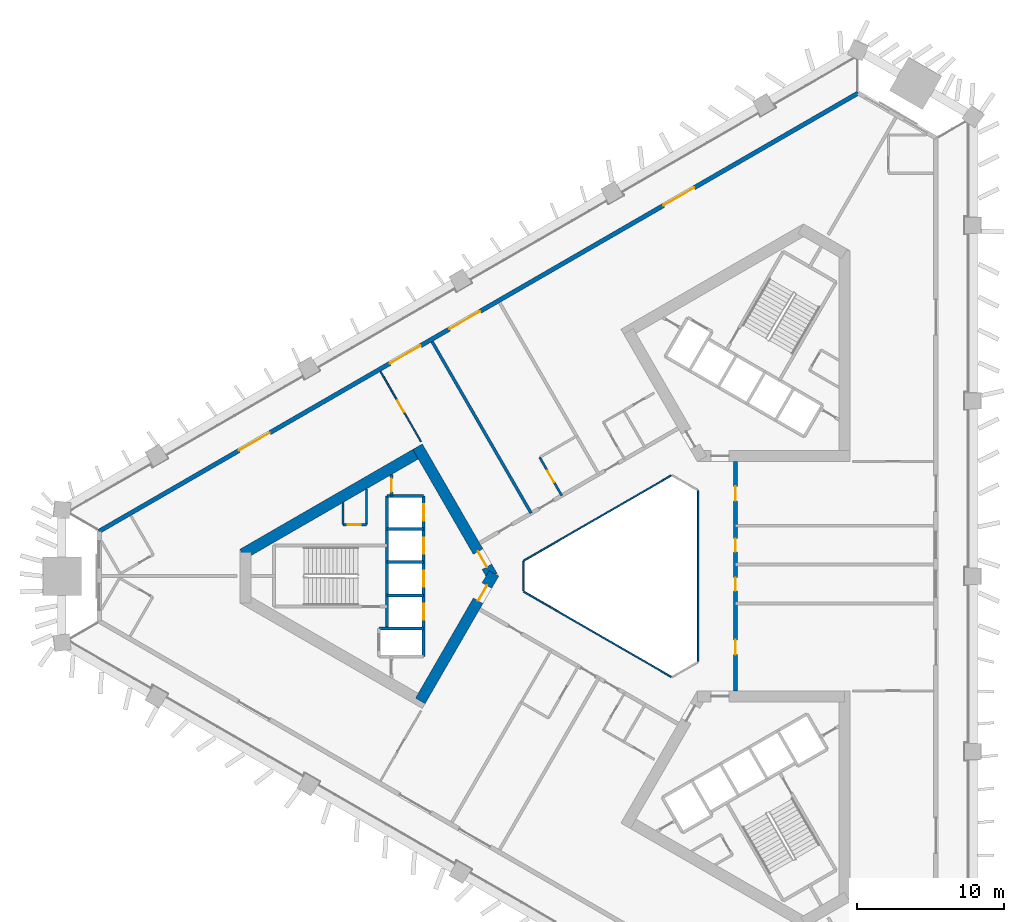
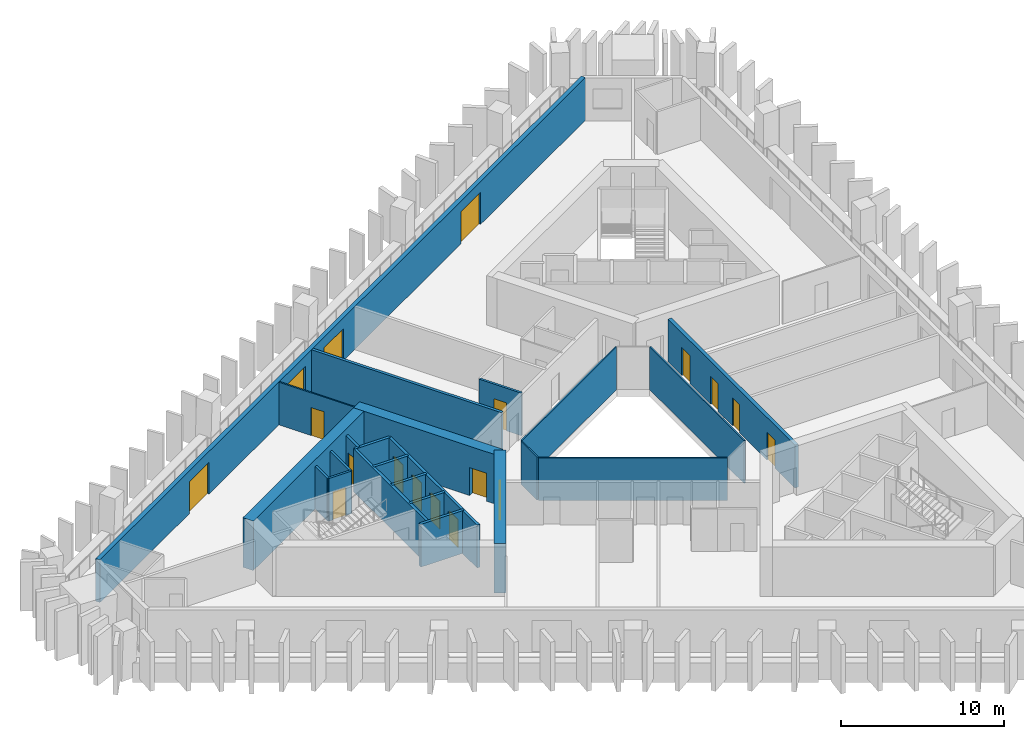
# One storey, part 4 of 10: 23 walls, 18 doors, 18 openings.
"""IFC4 building model written with IfcOpenShell, lengths in metres."""

from ifc_helpers import new_model, si_unit, direction, frame, frame_2d, origin, place, context, subcontext, project, spatial, rectangle, extrude, material, layer, layer_set, type_object, element, fill, save


model = new_model("IFC4")

# Units and contexts
model_context = context("Model", 3, precision=1e-05, world=origin(), true_north=direction((0.0, 1.0)))
body_context = subcontext(model_context, "Body", "Model", "MODEL_VIEW")
ifc_project = project(units=[si_unit("LENGTHUNIT", "METRE"), si_unit("AREAUNIT", "SQUARE_METRE"), si_unit("VOLUMEUNIT", "CUBIC_METRE"), si_unit("PLANEANGLEUNIT", "RADIAN"), si_unit("MASSUNIT", "GRAM", prefix="KILO")], contexts=[model_context])

# Site, building, storey
site_placement = place(None, origin())
site = spatial("IfcSite", under=ifc_project, at=site_placement, CompositionType="ELEMENT")
building_placement = place(site_placement, origin())
building = spatial("IfcBuilding", under=site, at=building_placement, Name="Jabali Bay Hotel Tower and Convention Centre", CompositionType="ELEMENT")
storey_placement = place(building_placement, frame((0.0, 0.0, 68.39990234375)))
storey = spatial("IfcBuildingStorey", under=building, at=storey_placement, Name="L15", CompositionType="ELEMENT", Elevation=68.39990234375)

# Walls
ifc_material_1 = material(Name="Fire-resistant glazing", Category="glass")
ifc_layer_1 = layer(ifc_material_1, 0.10009765625)
ifc_layer_set_1 = layer_set([ifc_layer_1], Name="Fire-resistant glazing")
wall_type_1 = type_object("IfcWallType", Name="Atrium glazed screen 100", PredefinedType="PARTITIONING", material=ifc_layer_set_1)
for number, where, z_axis, x_axis, name in (
    (1, (79.56005859375, 74.205810546875, 0.0), (0.0, 0.0, 1.0), (0.0, 1.0, 0.0), "Atrium screen 1 L15"),
    (2, (77.738037109375, 86.84619140625, 0.0), (0.0, 0.0, 1.0), (-0.866026658274, -0.499997827154, 0.0), "Atrium screen 3 L15"),
):
    element("IfcWall", number, at=place(storey_placement, frame(where, z_axis=z_axis, x_axis=x_axis)), inside=storey, type_object=wall_type_1, Name=name, PredefinedType="PARTITIONING", context=body_context, shape_type="SweptSolid", body=[
        extrude(rectangle(XDim=11.58837890625, YDim=0.10009765625, at=frame_2d((5.794189453125, 0.0))), origin(), (0.0, 0.0, 1.0), 3.2001953125),
    ])
wall_1_placement = place(storey_placement, frame((67.672119140625, 81.0, 0.0), z_axis=(0.0, 0.0, 1.0), x_axis=(0.0, -1.0, 0.0)))
element("IfcWall", 3, at=wall_1_placement, inside=storey, type_object=wall_type_1, Name="Atrium screen 4 L15", PredefinedType="PARTITIONING", context=body_context, shape_type="SweptSolid", body=[
    extrude(rectangle(XDim=2.0, YDim=0.10009765625, at=frame_2d((1.0, 0.0))), origin(), (0.0, 0.0, 1.0), 3.2001953125),
])
wall_2_placement = place(storey_placement, frame((67.7021484375, 78.947998046875, 0.0), z_axis=(0.0, 0.0, 1.0), x_axis=(0.866026658274, -0.499997827154, 0.0)))
element("IfcWall", 4, at=wall_2_placement, inside=storey, type_object=wall_type_1, Name="Atrium screen 5 L15", PredefinedType="PARTITIONING", context=body_context, shape_type="SweptSolid", body=[
    extrude(rectangle(XDim=11.58837890625, YDim=0.10009765625, at=frame_2d((5.794189453125, 0.0))), origin(), (0.0, 0.0, 1.0), 3.2001953125),
])

# Wall, opening, door
ifc_material_2 = material(Name="Concrete C40", Category="concrete")
ifc_layer_2 = layer(ifc_material_2, 0.199951171875)
ifc_layer_set_2 = layer_set([ifc_layer_2], Name="Concrete C40")
wall_type_2 = type_object("IfcWallType", Name="Core partition wall 200", PredefinedType="PARTITIONING", material=ifc_layer_set_2)
wall_3_placement = place(storey_placement, frame((58.719970703125, 86.916748046875, 0.0), z_axis=(0.0, 0.0, 1.0), x_axis=(0.0, -1.0, 0.0)))
wall_3 = element("IfcWall", 5, at=wall_3_placement, inside=storey, type_object=wall_type_2, Name="Core wall 0.11 L15", PredefinedType="PARTITIONING", context=body_context, shape_type="SweptSolid", body=[
    extrude(rectangle(XDim=1.466796875, YDim=0.199951171875, at=frame_2d((0.7333984375, 0.0))), origin(), (0.0, 0.0, 1.0), 3.2001953125),
])
opening_1_placement = place(wall_3_placement, frame((0.283447265625, 0.0, 0.0)))
opening_1 = element("IfcOpeningElement", 6, at=opening_1_placement, cuts=wall_3, Name="Opening D387", PredefinedType="OPENING", context=body_context, shape_type="SweptSolid", body=[
    extrude(rectangle(XDim=0.89990234375, YDim=2.10009765625, at=frame_2d((0.449951171875, 1.050048828125))), frame((0.0, 0.1103515625, 0.0), z_axis=(0.0, -1.0, 0.0), x_axis=(1.0, 0.0, 0.0)), (0.0, 0.0, 1.0), 0.220947265625),
])
ifc_material_3 = material(Name="Fire-rated steel door", Category="steel")
door_type_1 = type_object("IfcDoorType", Name="Vestibule fire door 900 x 2100", OperationType="NOTDEFINED", PredefinedType="NOTDEFINED", material=ifc_material_3)
door_1_placement = place(opening_1_placement, origin())
door_1 = element("IfcDoor", 7, at=door_1_placement, inside=storey, type_object=door_type_1, Name="Vestibule fire door D387", OperationType="SINGLE_SWING_LEFT", OverallHeight=2.10009765625, OverallWidth=0.89990234375, PredefinedType="NOTDEFINED", context=body_context, shape_type="SweptSolid", body=[
    extrude(rectangle(XDim=0.89990234375, YDim=2.10009765625, at=frame_2d((0.449951171875, 1.050048828125))), frame((0.0, 0.02490234375, 0.0), z_axis=(0.0, -1.0, 0.0), x_axis=(1.0, 0.0, 0.0)), (0.0, 0.0, 1.0), 0.050048828125),
])
fill(opening_1, door_1)

ifc_material_4 = material(Name="Fire-rated board partition")
ifc_layer_3 = layer(ifc_material_4, 0.14990234375)
ifc_layer_set_3 = layer_set([ifc_layer_3], Name="Fire-rated board partition")
wall_type_3 = type_object("IfcWallType", Name="Core room partition 150", PredefinedType="PARTITIONING", material=ifc_layer_set_3)
wall_4_placement = place(storey_placement, frame((57.02001953125, 83.5, 0.0), z_axis=(0.0, 0.0, 1.0), x_axis=(-1.0, 0.0, 0.0)))
wall_4 = element("IfcWall", 8, at=wall_4_placement, inside=storey, type_object=wall_type_3, Name="Core wall 0.1 L15", PredefinedType="PARTITIONING", context=body_context, shape_type="SweptSolid", body=[
    extrude(rectangle(XDim=1.60009765625, YDim=0.14990234375, at=frame_2d((0.800048828125, 0.0))), origin(), (0.0, 0.0, 1.0), 3.2001953125),
])
opening_2_placement = place(wall_4_placement, frame((0.387451171875, 0.0, 0.0)))
opening_2 = element("IfcOpeningElement", 9, at=opening_2_placement, cuts=wall_4, Name="Opening D389", PredefinedType="OPENING", context=body_context, shape_type="SweptSolid", body=[
    extrude(rectangle(XDim=0.89990234375, YDim=2.10009765625, at=frame_2d((0.449951171875, 1.050048828125))), frame((0.0, 0.08544921875, 0.0), z_axis=(0.0, -1.0, 0.0), x_axis=(1.0, 0.0, 0.0)), (0.0, 0.0, 1.0), 0.1708984375),
])
door_type_2 = type_object("IfcDoorType", Name="Core room door 900 x 2100", OperationType="NOTDEFINED", PredefinedType="NOTDEFINED", material=ifc_material_3)
door_2_placement = place(opening_2_placement, origin())
door_2 = element("IfcDoor", 10, at=door_2_placement, inside=storey, type_object=door_type_2, Name="Core room door D389", OperationType="SINGLE_SWING_LEFT", OverallHeight=2.10009765625, OverallWidth=0.89990234375, PredefinedType="NOTDEFINED", context=body_context, shape_type="SweptSolid", body=[
    extrude(rectangle(XDim=0.89990234375, YDim=2.10009765625, at=frame_2d((0.449951171875, 1.050048828125))), frame((0.0, 0.02490234375, 0.0), z_axis=(0.0, -1.0, 0.0), x_axis=(1.0, 0.0, 0.0)), (0.0, 0.0, 1.0), 0.050048828125),
])
fill(opening_2, door_2)

# Walls
wall_5_placement = place(storey_placement, frame((57.02001953125, 85.935302734375, 0.0), z_axis=(0.0, 0.0, 1.0), x_axis=(0.0, -1.0, 0.0)))
element("IfcWall", 11, at=wall_5_placement, inside=storey, type_object=wall_type_3, Name="Core wall 0.15 L15", PredefinedType="PARTITIONING", context=body_context, shape_type="SweptSolid", body=[
    extrude(rectangle(XDim=2.435302734375, YDim=0.14990234375, at=frame_2d((1.2177734375, 0.0))), origin(), (0.0, 0.0, 1.0), 3.2001953125),
])
wall_6_placement = place(storey_placement, frame((55.419921875, 85.011474609375, 0.0), z_axis=(0.0, 0.0, 1.0), x_axis=(0.0, -1.0, 0.0)))
element("IfcWall", 12, at=wall_6_placement, inside=storey, type_object=wall_type_3, Name="Core wall 0.16 L15", PredefinedType="PARTITIONING", context=body_context, shape_type="SweptSolid", body=[
    extrude(rectangle(XDim=1.511474609375, YDim=0.14990234375, at=frame_2d((0.755859375, 0.0))), origin(), (0.0, 0.0, 1.0), 3.2001953125),
])
ifc_layer_4 = layer(ifc_material_2, 0.199951171875)
ifc_layer_set_4 = layer_set([ifc_layer_4], Name="Concrete C40")
wall_type_4 = type_object("IfcWallType", Name="Core stair wall 200", PredefinedType="SOLIDWALL", material=ifc_layer_set_4)
for number, where, z_axis, x_axis, name in (
    (13, (60.89990234375, 85.449951171875, 0.0), (0.0, 0.0, 1.0), (-1.0, 0.0, 0.0), "Core wall 0.0 L15"),
    (14, (60.89990234375, 83.199951171875, 0.0), (0.0, 0.0, 1.0), (-1.0, 0.0, 0.0), "Core wall 0.2 L15"),
    (15, (60.89990234375, 80.949951171875, 0.0), (0.0, 0.0, 1.0), (-1.0, 0.0, 0.0), "Core wall 0.4 L15"),
    (16, (60.89990234375, 78.699951171875, 0.0), (0.0, 0.0, 1.0), (-1.0, 0.0, 0.0), "Core wall 0.6 L15"),
):
    element("IfcWall", number, at=place(storey_placement, frame(where, z_axis=z_axis, x_axis=x_axis)), inside=storey, type_object=wall_type_4, Name=name, PredefinedType="SOLIDWALL", context=body_context, shape_type="SweptSolid", body=[
        extrude(rectangle(XDim=2.47998046875, YDim=0.199951171875, at=frame_2d((1.239990234375, 0.0))), origin(), (0.0, 0.0, 1.0), 3.2001953125),
    ])
wall_7_placement = place(storey_placement, frame((60.89990234375, 76.449951171875, 0.0), z_axis=(0.0, 0.0, 1.0), x_axis=(-1.0, 0.0, 0.0)))
element("IfcWall", 17, at=wall_7_placement, inside=storey, type_object=wall_type_4, Name="Core wall 0.8 L15", PredefinedType="SOLIDWALL", context=body_context, shape_type="SweptSolid", body=[
    extrude(rectangle(XDim=3.0498046875, YDim=0.199951171875, at=frame_2d((1.52490234375, 0.0))), origin(), (0.0, 0.0, 1.0), 3.2001953125),
])

# Wall, openings, doors
wall_8_placement = place(storey_placement, frame((60.89990234375, 85.449951171875, 0.0), z_axis=(0.0, 0.0, 1.0), x_axis=(0.0, -1.0, 0.0)))
wall_8 = element("IfcWall", 18, at=wall_8_placement, inside=storey, type_object=wall_type_4, Name="Core wall 0.10 L15", PredefinedType="SOLIDWALL", context=body_context, shape_type="SweptSolid", body=[
    extrude(rectangle(XDim=10.89990234375, YDim=0.199951171875, at=frame_2d((5.449951171875, 0.0))), origin(), (0.0, 0.0, 1.0), 3.2001953125),
])
opening_3_placement = place(wall_8_placement, frame((0.574951171875, 0.0, 0.0)))
opening_3 = element("IfcOpeningElement", 19, at=opening_3_placement, cuts=wall_8, Name="Opening LD1-L15", PredefinedType="OPENING", context=body_context, shape_type="SweptSolid", body=[
    extrude(rectangle(XDim=1.10009765625, YDim=2.10009765625, at=frame_2d((0.550048828125, 1.050048828125))), frame((0.0, 0.1103515625, 0.0), z_axis=(0.0, -1.0, 0.0), x_axis=(1.0, 0.0, 0.0)), (0.0, 0.0, 1.0), 0.220947265625),
])
opening_4_placement = place(wall_8_placement, frame((2.824951171875, 0.0, 0.0)))
opening_4 = element("IfcOpeningElement", 20, at=opening_4_placement, cuts=wall_8, Name="Opening LD2-L15", PredefinedType="OPENING", context=body_context, shape_type="SweptSolid", body=[
    extrude(rectangle(XDim=1.10009765625, YDim=2.10009765625, at=frame_2d((0.550048828125, 1.050048828125))), frame((0.0, 0.1103515625, 0.0), z_axis=(0.0, -1.0, 0.0), x_axis=(1.0, 0.0, 0.0)), (0.0, 0.0, 1.0), 0.220947265625),
])
opening_5_placement = place(wall_8_placement, frame((5.074951171875, 0.0, 0.0)))
opening_5 = element("IfcOpeningElement", 21, at=opening_5_placement, cuts=wall_8, Name="Opening LD3-L15", PredefinedType="OPENING", context=body_context, shape_type="SweptSolid", body=[
    extrude(rectangle(XDim=1.10009765625, YDim=2.10009765625, at=frame_2d((0.550048828125, 1.050048828125))), frame((0.0, 0.1103515625, 0.0), z_axis=(0.0, -1.0, 0.0), x_axis=(1.0, 0.0, 0.0)), (0.0, 0.0, 1.0), 0.220947265625),
])
opening_6_placement = place(wall_8_placement, frame((7.324951171875, 0.0, 0.0)))
opening_6 = element("IfcOpeningElement", 22, at=opening_6_placement, cuts=wall_8, Name="Opening LD4-L15", PredefinedType="OPENING", context=body_context, shape_type="SweptSolid", body=[
    extrude(rectangle(XDim=1.10009765625, YDim=2.10009765625, at=frame_2d((0.550048828125, 1.050048828125))), frame((0.0, 0.1103515625, 0.0), z_axis=(0.0, -1.0, 0.0), x_axis=(1.0, 0.0, 0.0)), (0.0, 0.0, 1.0), 0.220947265625),
])
ifc_material_5 = material(Name="Stainless steel landing door", Category="steel")
door_type_3 = type_object("IfcDoorType", Name="Landing door 1100 x 2100", OperationType="NOTDEFINED", PredefinedType="NOTDEFINED", material=ifc_material_5)
door_3_placement = place(opening_3_placement, origin())
door_3 = element("IfcDoor", 23, at=door_3_placement, inside=storey, type_object=door_type_3, Name="Landing doors LD1-L15", OperationType="SLIDING_TO_RIGHT", OverallHeight=2.10009765625, OverallWidth=1.10009765625, PredefinedType="NOTDEFINED", context=body_context, shape_type="SweptSolid", body=[
    extrude(rectangle(XDim=1.10009765625, YDim=2.10009765625, at=frame_2d((0.550048828125, 1.050048828125))), frame((0.0, 0.02490234375, 0.0), z_axis=(0.0, -1.0, 0.0), x_axis=(1.0, 0.0, 0.0)), (0.0, 0.0, 1.0), 0.050048828125),
])
fill(opening_3, door_3)
door_4_placement = place(opening_4_placement, origin())
door_4 = element("IfcDoor", 24, at=door_4_placement, inside=storey, type_object=door_type_3, Name="Landing doors LD2-L15", OperationType="SLIDING_TO_LEFT", OverallHeight=2.10009765625, OverallWidth=1.10009765625, PredefinedType="NOTDEFINED", context=body_context, shape_type="SweptSolid", body=[
    extrude(rectangle(XDim=1.10009765625, YDim=2.10009765625, at=frame_2d((0.550048828125, 1.050048828125))), frame((0.0, 0.02490234375, 0.0), z_axis=(0.0, -1.0, 0.0), x_axis=(1.0, 0.0, 0.0)), (0.0, 0.0, 1.0), 0.050048828125),
])
fill(opening_4, door_4)
door_5_placement = place(opening_5_placement, origin())
door_5 = element("IfcDoor", 25, at=door_5_placement, inside=storey, type_object=door_type_3, Name="Landing doors LD3-L15", OperationType="SLIDING_TO_RIGHT", OverallHeight=2.10009765625, OverallWidth=1.10009765625, PredefinedType="NOTDEFINED", context=body_context, shape_type="SweptSolid", body=[
    extrude(rectangle(XDim=1.10009765625, YDim=2.10009765625, at=frame_2d((0.550048828125, 1.050048828125))), frame((0.0, 0.02490234375, 0.0), z_axis=(0.0, -1.0, 0.0), x_axis=(1.0, 0.0, 0.0)), (0.0, 0.0, 1.0), 0.050048828125),
])
fill(opening_5, door_5)
door_6_placement = place(opening_6_placement, origin())
door_6 = element("IfcDoor", 26, at=door_6_placement, inside=storey, type_object=door_type_3, Name="Landing doors LD4-L15", OperationType="SLIDING_TO_LEFT", OverallHeight=2.10009765625, OverallWidth=1.10009765625, PredefinedType="NOTDEFINED", context=body_context, shape_type="SweptSolid", body=[
    extrude(rectangle(XDim=1.10009765625, YDim=2.10009765625, at=frame_2d((0.550048828125, 1.050048828125))), frame((0.0, 0.02490234375, 0.0), z_axis=(0.0, -1.0, 0.0), x_axis=(1.0, 0.0, 0.0)), (0.0, 0.0, 1.0), 0.050048828125),
])
fill(opening_6, door_6)

# Wall
wall_9_placement = place(storey_placement, frame((58.419921875, 85.449951171875, 0.0), z_axis=(0.0, 0.0, 1.0), x_axis=(0.0, -1.0, 0.0)))
element("IfcWall", 27, at=wall_9_placement, inside=storey, type_object=wall_type_4, Name="Core wall 0.13 L15", PredefinedType="SOLIDWALL", context=body_context, shape_type="SweptSolid", body=[
    extrude(rectangle(XDim=9.0, YDim=0.199951171875, at=frame_2d((4.5, 0.0))), origin(), (0.0, 0.0, 1.0), 3.2001953125),
])

# Wall, opening, door
ifc_material_6 = material(Name="Concrete C60", Category="concrete")
ifc_layer_5 = layer(ifc_material_6, 0.75)
ifc_layer_set_5 = layer_set([ifc_layer_5], Name="Concrete C60")
wall_type_5 = type_object("IfcWallType", Name="Core wall 750", PredefinedType="SHEAR", material=ifc_layer_set_5)
wall_10_placement = place(storey_placement, frame((65.56689453125, 80.0, 0.0), z_axis=(0.0, 0.0, 1.0), x_axis=(-0.499988615364, 0.866031976607, 0.0)))
wall_10 = element("IfcWall", 28, at=wall_10_placement, inside=storey, type_object=wall_type_5, Name="Core wall 1.1 L15", PredefinedType="SHEAR", context=body_context, shape_type="SweptSolid", body=[
    extrude(rectangle(XDim=10.163330078125, YDim=0.75, at=frame_2d((5.08154296875, 0.0))), origin(), (0.0, 0.0, 1.0), 3.7001953125),
])
opening_7_placement = place(wall_10_placement, frame((0.7333984375, 0.0, 0.0)))
opening_7 = element("IfcOpeningElement", 29, at=opening_7_placement, cuts=wall_10, Name="Opening D384", PredefinedType="OPENING", context=body_context, shape_type="SweptSolid", body=[
    extrude(rectangle(XDim=1.199951171875, YDim=2.10009765625, at=frame_2d((0.60009765625, 1.050048828125))), frame((0.0, 0.385498046875, 0.0), z_axis=(0.0, -1.0, 0.0), x_axis=(1.0, 0.0, 0.0)), (0.0, 0.0, 1.0), 0.77099609375),
])
door_type_4 = type_object("IfcDoorType", Name="Corridor end fire door 1200 x 2100", OperationType="NOTDEFINED", PredefinedType="NOTDEFINED", material=ifc_material_3)
door_7_placement = place(opening_7_placement, origin())
door_7 = element("IfcDoor", 30, at=door_7_placement, inside=storey, type_object=door_type_4, Name="Corridor end fire door D384", OperationType="SINGLE_SWING_RIGHT", OverallHeight=2.10009765625, OverallWidth=1.199951171875, PredefinedType="NOTDEFINED", context=body_context, shape_type="SweptSolid", body=[
    extrude(rectangle(XDim=1.199951171875, YDim=2.10009765625, at=frame_2d((0.60009765625, 1.050048828125))), frame((0.0, 0.02490234375, 0.0), z_axis=(0.0, -1.0, 0.0), x_axis=(1.0, 0.0, 0.0)), (0.0, 0.0, 1.0), 0.050048828125),
])
fill(opening_7, door_7)

# Wall
wall_11_placement = place(storey_placement, frame((60.6728515625, 88.47705078125, 0.0), z_axis=(0.0, 0.0, 1.0), x_axis=(-0.8660248072, -0.500001033313, 0.0)))
element("IfcWall", 31, at=wall_11_placement, inside=storey, type_object=wall_type_5, Name="Core wall 1.2 L15", PredefinedType="SHEAR", context=body_context, shape_type="SweptSolid", body=[
    extrude(rectangle(XDim=13.95849609375, YDim=0.75, at=frame_2d((6.979248046875, 0.0))), origin(), (0.0, 0.0, 1.0), 3.7001953125),
])

# Wall, opening, door
wall_12_placement = place(storey_placement, frame((60.6728515625, 71.52294921875, 0.0), z_axis=(0.0, 0.0, 1.0), x_axis=(0.499997052475, 0.866027105532, 0.0)))
wall_12 = element("IfcWall", 32, at=wall_12_placement, inside=storey, type_object=wall_type_5, Name="Core wall 1.5 L15", PredefinedType="SHEAR", context=body_context, shape_type="SweptSolid", body=[
    extrude(rectangle(XDim=10.0048828125, YDim=0.75, at=frame_2d((5.00244140625, 0.0))), origin(), (0.0, 0.0, 1.0), 3.7001953125),
])
opening_8_placement = place(wall_12_placement, frame((7.85498046875, 0.0, 0.0)))
opening_8 = element("IfcOpeningElement", 33, at=opening_8_placement, cuts=wall_12, Name="Opening D385", PredefinedType="OPENING", context=body_context, shape_type="SweptSolid", body=[
    extrude(rectangle(XDim=1.199951171875, YDim=2.10009765625, at=frame_2d((0.60009765625, 1.050048828125))), frame((0.0, 0.385498046875, 0.0), z_axis=(0.0, -1.0, 0.0), x_axis=(1.0, 0.0, 0.0)), (0.0, 0.0, 1.0), 0.77099609375),
])
door_8_placement = place(opening_8_placement, origin())
door_8 = element("IfcDoor", 34, at=door_8_placement, inside=storey, type_object=door_type_4, Name="Corridor end fire door D385", OperationType="SINGLE_SWING_LEFT", OverallHeight=2.10009765625, OverallWidth=1.199951171875, PredefinedType="NOTDEFINED", context=body_context, shape_type="SweptSolid", body=[
    extrude(rectangle(XDim=1.199951171875, YDim=2.10009765625, at=frame_2d((0.60009765625, 1.050048828125))), frame((0.0, 0.02490234375, 0.0), z_axis=(0.0, -1.0, 0.0), x_axis=(1.0, 0.0, 0.0)), (0.0, 0.0, 1.0), 0.050048828125),
])
fill(opening_8, door_8)

# Wall, openings, doors
ifc_layer_6 = layer(ifc_material_6, 0.25)
ifc_layer_set_6 = layer_set([ifc_layer_6], Name="Concrete C60")
wall_type_6 = type_object("IfcWallType", Name="Corridor wall 250", PredefinedType="SHEAR", material=ifc_layer_set_6)
wall_13_placement = place(storey_placement, frame((82.10009765625, 72.205810546875, 0.0), z_axis=(0.0, 0.0, 1.0), x_axis=(0.0, 1.0, 0.0)))
wall_13 = element("IfcWall", 35, at=wall_13_placement, inside=storey, type_object=wall_type_6, Name="Corridor wall 1 L15", PredefinedType="SHEAR", context=body_context, shape_type="SweptSolid", body=[
    extrude(rectangle(XDim=15.58837890625, YDim=0.25, at=frame_2d((7.794189453125, 0.0))), origin(), (0.0, 0.0, 1.0), 3.2001953125),
])
opening_9_placement = place(wall_13_placement, frame((2.4619140625, 0.0, 0.0)))
opening_9 = element("IfcOpeningElement", 36, at=opening_9_placement, cuts=wall_13, Name="Opening 1501", PredefinedType="OPENING", context=body_context, shape_type="SweptSolid", body=[
    extrude(rectangle(XDim=1.0, YDim=2.10009765625, at=frame_2d((0.5, 1.050048828125))), frame((0.0, 0.135498046875, 0.0), z_axis=(0.0, -1.0, 0.0), x_axis=(1.0, 0.0, 0.0)), (0.0, 0.0, 1.0), 0.27099609375),
])
opening_10_placement = place(wall_13_placement, frame((6.798583984375, 0.0, 0.0)))
opening_10 = element("IfcOpeningElement", 37, at=opening_10_placement, cuts=wall_13, Name="Opening 1504", PredefinedType="OPENING", context=body_context, shape_type="SweptSolid", body=[
    extrude(rectangle(XDim=0.89990234375, YDim=2.10009765625, at=frame_2d((0.449951171875, 1.050048828125))), frame((0.0, 0.135498046875, 0.0), z_axis=(0.0, -1.0, 0.0), x_axis=(1.0, 0.0, 0.0)), (0.0, 0.0, 1.0), 0.27099609375),
])
opening_11_placement = place(wall_13_placement, frame((9.44873046875, 0.0, 0.0)))
opening_11 = element("IfcOpeningElement", 38, at=opening_11_placement, cuts=wall_13, Name="Opening 1505", PredefinedType="OPENING", context=body_context, shape_type="SweptSolid", body=[
    extrude(rectangle(XDim=0.89990234375, YDim=2.10009765625, at=frame_2d((0.449951171875, 1.050048828125))), frame((0.0, 0.135498046875, 0.0), z_axis=(0.0, -1.0, 0.0), x_axis=(1.0, 0.0, 0.0)), (0.0, 0.0, 1.0), 0.27099609375),
])
opening_12_placement = place(wall_13_placement, frame((12.906005859375, 0.0, 0.0)))
opening_12 = element("IfcOpeningElement", 39, at=opening_12_placement, cuts=wall_13, Name="Opening 1506", PredefinedType="OPENING", context=body_context, shape_type="SweptSolid", body=[
    extrude(rectangle(XDim=1.0, YDim=2.10009765625, at=frame_2d((0.5, 1.050048828125))), frame((0.0, 0.135498046875, 0.0), z_axis=(0.0, -1.0, 0.0), x_axis=(1.0, 0.0, 0.0)), (0.0, 0.0, 1.0), 0.27099609375),
])
ifc_material_7 = material(Name="Timber", Category="wood")
door_type_5 = type_object("IfcDoorType", Name="Guest room door 1000 x 2100", OperationType="NOTDEFINED", PredefinedType="NOTDEFINED", material=ifc_material_7)
door_9_placement = place(opening_9_placement, origin())
door_9 = element("IfcDoor", 40, at=door_9_placement, inside=storey, type_object=door_type_5, Name="Door 1501", OperationType="SINGLE_SWING_LEFT", OverallHeight=2.10009765625, OverallWidth=1.0, PredefinedType="NOTDEFINED", context=body_context, shape_type="SweptSolid", body=[
    extrude(rectangle(XDim=1.0, YDim=2.10009765625, at=frame_2d((0.5, 1.050048828125))), frame((0.0, 0.02490234375, 0.0), z_axis=(0.0, -1.0, 0.0), x_axis=(1.0, 0.0, 0.0)), (0.0, 0.0, 1.0), 0.050048828125),
])
fill(opening_9, door_9)
door_10_placement = place(opening_12_placement, origin())
door_10 = element("IfcDoor", 41, at=door_10_placement, inside=storey, type_object=door_type_5, Name="Door 1506", OperationType="SINGLE_SWING_RIGHT", OverallHeight=2.10009765625, OverallWidth=1.0, PredefinedType="NOTDEFINED", context=body_context, shape_type="SweptSolid", body=[
    extrude(rectangle(XDim=1.0, YDim=2.10009765625, at=frame_2d((0.5, 1.050048828125))), frame((0.0, 0.02490234375, 0.0), z_axis=(0.0, -1.0, 0.0), x_axis=(1.0, 0.0, 0.0)), (0.0, 0.0, 1.0), 0.050048828125),
])
fill(opening_12, door_10)
door_type_6 = type_object("IfcDoorType", Name="Internal door 900 x 2100", OperationType="NOTDEFINED", PredefinedType="NOTDEFINED", material=ifc_material_7)
door_11_placement = place(opening_10_placement, origin())
door_11 = element("IfcDoor", 42, at=door_11_placement, inside=storey, type_object=door_type_6, Name="Door 1504", OperationType="SINGLE_SWING_LEFT", OverallHeight=2.10009765625, OverallWidth=0.89990234375, PredefinedType="NOTDEFINED", context=body_context, shape_type="SweptSolid", body=[
    extrude(rectangle(XDim=0.89990234375, YDim=2.10009765625, at=frame_2d((0.449951171875, 1.050048828125))), frame((0.0, 0.02490234375, 0.0), z_axis=(0.0, -1.0, 0.0), x_axis=(1.0, 0.0, 0.0)), (0.0, 0.0, 1.0), 0.050048828125),
])
fill(opening_10, door_11)
door_12_placement = place(opening_11_placement, origin())
door_12 = element("IfcDoor", 43, at=door_12_placement, inside=storey, type_object=door_type_6, Name="Door 1505", OperationType="SINGLE_SWING_RIGHT", OverallHeight=2.10009765625, OverallWidth=0.89990234375, PredefinedType="NOTDEFINED", context=body_context, shape_type="SweptSolid", body=[
    extrude(rectangle(XDim=0.89990234375, YDim=2.10009765625, at=frame_2d((0.449951171875, 1.050048828125))), frame((0.0, 0.02490234375, 0.0), z_axis=(0.0, -1.0, 0.0), x_axis=(1.0, 0.0, 0.0)), (0.0, 0.0, 1.0), 0.050048828125),
])
fill(opening_11, door_12)

ifc_layer_7 = layer(ifc_material_2, 0.300048828125)
ifc_layer_set_7 = layer_set([ifc_layer_7], Name="Concrete C40")
wall_type_7 = type_object("IfcWallType", Name="External wall 300", PredefinedType="SOLIDWALL", material=ifc_layer_set_7)
wall_14_placement = place(storey_placement, frame((38.831787109375, 83.049072265625, 0.0), z_axis=(0.0, 0.0, 1.0), x_axis=(0.866024382485, 0.500001768939, 0.0)))
wall_14 = element("IfcWall", 44, at=wall_14_placement, inside=storey, type_object=wall_type_7, Name="External wall north-west face L15", PredefinedType="SOLIDWALL", context=body_context, shape_type="SweptSolid", body=[
    extrude(rectangle(XDim=59.595947265625, YDim=0.300048828125, at=frame_2d((29.7978515625, 0.0))), origin(), (0.0, 0.0, 1.0), 3.2001953125),
])
opening_13_placement = place(wall_14_placement, frame((27.5068359375, 0.0, 0.0)))
opening_13 = element("IfcOpeningElement", 45, at=opening_13_placement, cuts=wall_14, Name="Opening SD1", PredefinedType="OPENING", context=body_context, shape_type="SweptSolid", body=[
    extrude(rectangle(XDim=2.39990234375, YDim=2.39990234375, at=frame_2d((1.199951171875, 1.199951171875))), frame((0.0, 0.16064453125, 0.0), z_axis=(0.0, -1.0, 0.0), x_axis=(1.0, 0.0, 0.0)), (0.0, 0.0, 1.0), 0.321044921875),
])
opening_14_placement = place(wall_14_placement, frame((22.830078125, 0.0, 0.0)))
opening_14 = element("IfcOpeningElement", 46, at=opening_14_placement, cuts=wall_14, Name="Opening SD1", PredefinedType="OPENING", context=body_context, shape_type="SweptSolid", body=[
    extrude(rectangle(XDim=2.39990234375, YDim=2.39990234375, at=frame_2d((1.199951171875, 1.199951171875))), frame((0.0, 0.16064453125, 0.0), z_axis=(0.0, -1.0, 0.0), x_axis=(1.0, 0.0, 0.0)), (0.0, 0.0, 1.0), 0.321044921875),
])
opening_15_placement = place(wall_14_placement, frame((10.99462890625, 0.0, 0.0)))
opening_15 = element("IfcOpeningElement", 47, at=opening_15_placement, cuts=wall_14, Name="Opening SD1", PredefinedType="OPENING", context=body_context, shape_type="SweptSolid", body=[
    extrude(rectangle(XDim=2.39990234375, YDim=2.39990234375, at=frame_2d((1.199951171875, 1.199951171875))), frame((0.0, 0.16064453125, 0.0), z_axis=(0.0, -1.0, 0.0), x_axis=(1.0, 0.0, 0.0)), (0.0, 0.0, 1.0), 0.321044921875),
])
opening_16_placement = place(wall_14_placement, frame((44.319580078125, 0.0, 0.0)))
opening_16 = element("IfcOpeningElement", 48, at=opening_16_placement, cuts=wall_14, Name="Opening SD1", PredefinedType="OPENING", context=body_context, shape_type="SweptSolid", body=[
    extrude(rectangle(XDim=2.39990234375, YDim=2.39990234375, at=frame_2d((1.199951171875, 1.199951171875))), frame((0.0, 0.16064453125, 0.0), z_axis=(0.0, -1.0, 0.0), x_axis=(1.0, 0.0, 0.0)), (0.0, 0.0, 1.0), 0.321044921875),
])
ifc_material_8 = material(Name="Glass", Category="glass")
door_type_7 = type_object("IfcDoorType", Name="Loggia sliding door 2400 x 2400", OperationType="NOTDEFINED", PredefinedType="NOTDEFINED", material=ifc_material_8)
door_13_placement = place(opening_13_placement, origin())
door_13 = element("IfcDoor", 49, at=door_13_placement, inside=storey, type_object=door_type_7, Name="Loggia sliding door 1506", OperationType="SLIDING_TO_LEFT", OverallHeight=2.39990234375, OverallWidth=2.39990234375, PredefinedType="NOTDEFINED", context=body_context, shape_type="SweptSolid", body=[
    extrude(rectangle(XDim=2.39990234375, YDim=2.39990234375, at=frame_2d((1.199951171875, 1.199951171875))), frame((0.0, 0.02490234375, 0.0), z_axis=(0.0, -1.0, 0.0), x_axis=(1.0, 0.0, 0.0)), (0.0, 0.0, 1.0), 0.050048828125),
])
fill(opening_13, door_13)
door_14_placement = place(opening_14_placement, origin())
door_14 = element("IfcDoor", 50, at=door_14_placement, inside=storey, type_object=door_type_7, Name="Loggia sliding door 1507", OperationType="SLIDING_TO_RIGHT", OverallHeight=2.39990234375, OverallWidth=2.39990234375, PredefinedType="NOTDEFINED", context=body_context, shape_type="SweptSolid", body=[
    extrude(rectangle(XDim=2.39990234375, YDim=2.39990234375, at=frame_2d((1.199951171875, 1.199951171875))), frame((0.0, 0.02490234375, 0.0), z_axis=(0.0, -1.0, 0.0), x_axis=(1.0, 0.0, 0.0)), (0.0, 0.0, 1.0), 0.050048828125),
])
fill(opening_14, door_14)
door_15_placement = place(opening_15_placement, origin())
door_15 = element("IfcDoor", 51, at=door_15_placement, inside=storey, type_object=door_type_7, Name="Loggia sliding door 1507", OperationType="SLIDING_TO_LEFT", OverallHeight=2.39990234375, OverallWidth=2.39990234375, PredefinedType="NOTDEFINED", context=body_context, shape_type="SweptSolid", body=[
    extrude(rectangle(XDim=2.39990234375, YDim=2.39990234375, at=frame_2d((1.199951171875, 1.199951171875))), frame((0.0, 0.02490234375, 0.0), z_axis=(0.0, -1.0, 0.0), x_axis=(1.0, 0.0, 0.0)), (0.0, 0.0, 1.0), 0.050048828125),
])
fill(opening_15, door_15)
door_16_placement = place(opening_16_placement, origin())
door_16 = element("IfcDoor", 52, at=door_16_placement, inside=storey, type_object=door_type_7, Name="Loggia sliding door 1505", OperationType="SLIDING_TO_RIGHT", OverallHeight=2.39990234375, OverallWidth=2.39990234375, PredefinedType="NOTDEFINED", context=body_context, shape_type="SweptSolid", body=[
    extrude(rectangle(XDim=2.39990234375, YDim=2.39990234375, at=frame_2d((1.199951171875, 1.199951171875))), frame((0.0, 0.02490234375, 0.0), z_axis=(0.0, -1.0, 0.0), x_axis=(1.0, 0.0, 0.0)), (0.0, 0.0, 1.0), 0.050048828125),
])
fill(opening_16, door_16)

# Wall, opening, door
ifc_material_9 = material(Name="Plasterboard on steel stud", Category="steel")
ifc_layer_8 = layer(ifc_material_9, 0.10009765625)
ifc_layer_set_8 = layer_set([ifc_layer_8], Name="Plasterboard on steel stud")
wall_type_8 = type_object("IfcWallType", Name="Partition 100 unit", PredefinedType="PARTITIONING", material=ifc_layer_set_8)
wall_15_placement = place(storey_placement, frame((57.962158203125, 93.922119140625, 0.0), z_axis=(0.0, 0.0, 1.0), x_axis=(0.499974920023, -0.866039883231, 0.0)))
wall_15 = element("IfcWall", 53, at=wall_15_placement, inside=storey, type_object=wall_type_8, Name="Partition P02 L15 022", PredefinedType="PARTITIONING", context=body_context, shape_type="SweptSolid", body=[
    extrude(rectangle(XDim=5.496826171875, YDim=0.10009765625, at=frame_2d((2.74853515625, 0.0))), origin(), (0.0, 0.0, 1.0), 3.2001953125),
])
opening_17_placement = place(wall_15_placement, frame((2.298095703125, 0.0, 0.0)))
opening_17 = element("IfcOpeningElement", 54, at=opening_17_placement, cuts=wall_15, Name="Opening 1515", PredefinedType="OPENING", context=body_context, shape_type="SweptSolid", body=[
    extrude(rectangle(XDim=0.89990234375, YDim=2.10009765625, at=frame_2d((0.449951171875, 1.050048828125))), frame((0.0, 0.060546875, 0.0), z_axis=(0.0, -1.0, 0.0), x_axis=(1.0, 0.0, 0.0)), (0.0, 0.0, 1.0), 0.12109375),
])
door_17_placement = place(opening_17_placement, origin())
door_17 = element("IfcDoor", 55, at=door_17_placement, inside=storey, type_object=door_type_6, Name="Door 1515", OperationType="SINGLE_SWING_LEFT", OverallHeight=2.10009765625, OverallWidth=0.89990234375, PredefinedType="NOTDEFINED", context=body_context, shape_type="SweptSolid", body=[
    extrude(rectangle(XDim=0.89990234375, YDim=2.10009765625, at=frame_2d((0.449951171875, 1.050048828125))), frame((0.0, 0.02490234375, 0.0), z_axis=(0.0, -1.0, 0.0), x_axis=(1.0, 0.0, 0.0)), (0.0, 0.0, 1.0), 0.050048828125),
])
fill(opening_17, door_17)

ifc_layer_9 = layer(ifc_material_9, 0.14990234375)
ifc_layer_set_9 = layer_set([ifc_layer_9], Name="Plasterboard on steel stud")
wall_type_9 = type_object("IfcWallType", Name="Partition 150 wet", PredefinedType="PARTITIONING", material=ifc_layer_set_9)
wall_16_placement = place(storey_placement, frame((70.28857421875, 85.478271484375, 0.0), z_axis=(0.0, 0.0, 1.0), x_axis=(-0.50002537861, 0.866010750942, 0.0)))
wall_16 = element("IfcWall", 56, at=wall_16_placement, inside=storey, type_object=wall_type_9, Name="Partition P03 L15 019", PredefinedType="PARTITIONING", context=body_context, shape_type="SweptSolid", body=[
    extrude(rectangle(XDim=2.999755859375, YDim=0.14990234375, at=frame_2d((1.5, 0.0))), origin(), (0.0, 0.0, 1.0), 3.2001953125),
])
opening_18_placement = place(wall_16_placement, frame((1.050048828125, 0.0, 0.0)))
opening_18 = element("IfcOpeningElement", 57, at=opening_18_placement, cuts=wall_16, Name="Opening 1512", PredefinedType="OPENING", context=body_context, shape_type="SweptSolid", body=[
    extrude(rectangle(XDim=0.89990234375, YDim=2.10009765625, at=frame_2d((0.449951171875, 1.050048828125))), frame((0.0, 0.08544921875, 0.0), z_axis=(0.0, -1.0, 0.0), x_axis=(1.0, 0.0, 0.0)), (0.0, 0.0, 1.0), 0.1708984375),
])
door_type_8 = type_object("IfcDoorType", Name="Accessible en-suite door 900 x 2100", OperationType="NOTDEFINED", PredefinedType="NOTDEFINED", material=ifc_material_7)
door_18_placement = place(opening_18_placement, origin())
door_18 = element("IfcDoor", 58, at=door_18_placement, inside=storey, type_object=door_type_8, Name="Door 1512", OperationType="SINGLE_SWING_RIGHT", OverallHeight=2.10009765625, OverallWidth=0.89990234375, PredefinedType="NOTDEFINED", context=body_context, shape_type="SweptSolid", body=[
    extrude(rectangle(XDim=0.89990234375, YDim=2.10009765625, at=frame_2d((0.449951171875, 1.050048828125))), frame((0.0, 0.02490234375, 0.0), z_axis=(0.0, -1.0, 0.0), x_axis=(1.0, 0.0, 0.0)), (0.0, 0.0, 1.0), 0.050048828125),
])
fill(opening_18, door_18)

# Wall
ifc_layer_10 = layer(ifc_material_9, 0.199951171875)
ifc_layer_set_10 = layer_set([ifc_layer_10], Name="Plasterboard on steel stud")
wall_type_10 = type_object("IfcWallType", Name="Partition 200 party", PredefinedType="PARTITIONING", material=ifc_layer_set_10)
wall_17_placement = place(storey_placement, frame((61.47216796875, 95.948486328125, 0.0), z_axis=(0.0, 0.0, 1.0), x_axis=(0.499993239154, -0.866029307125, 0.0)))
element("IfcWall", 59, at=wall_17_placement, inside=storey, type_object=wall_type_10, Name="Partition P01 L15 021", PredefinedType="PARTITIONING", context=body_context, shape_type="SweptSolid", body=[
    extrude(rectangle(XDim=13.475830078125, YDim=0.199951171875, at=frame_2d((6.73779296875, 0.0))), origin(), (0.0, 0.0, 1.0), 3.2001953125),
])

save(model, "model.ifc")
